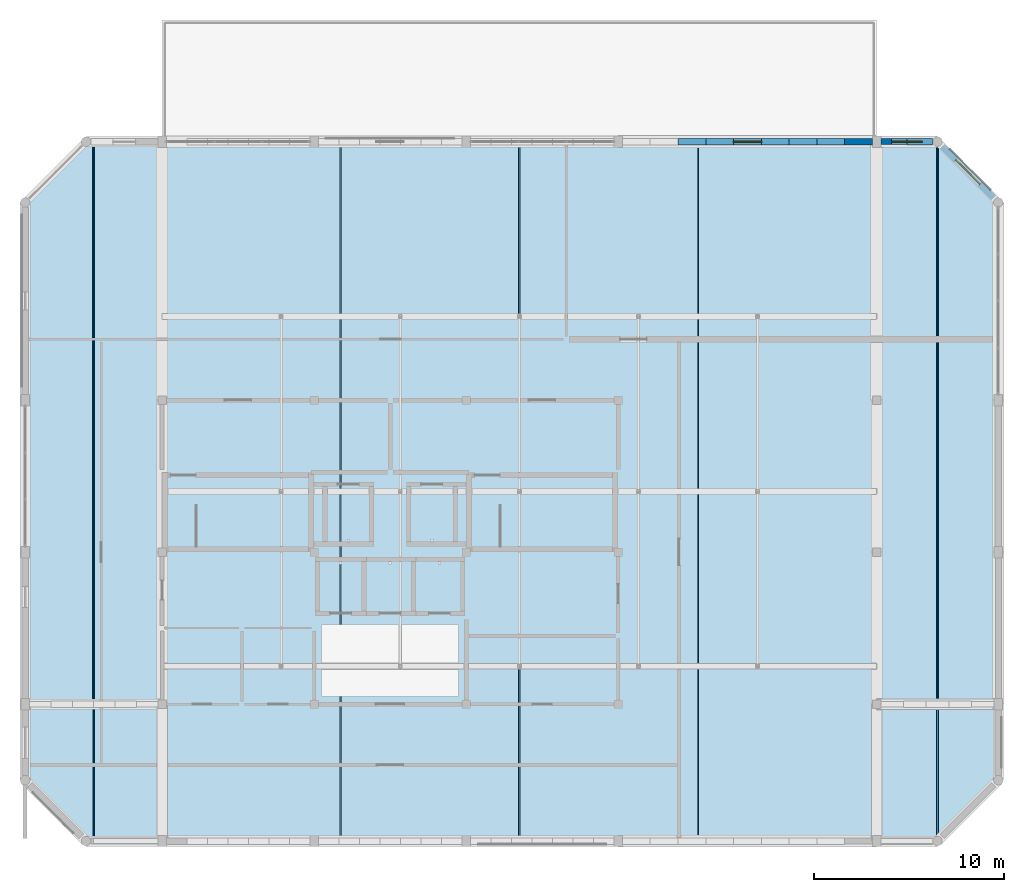
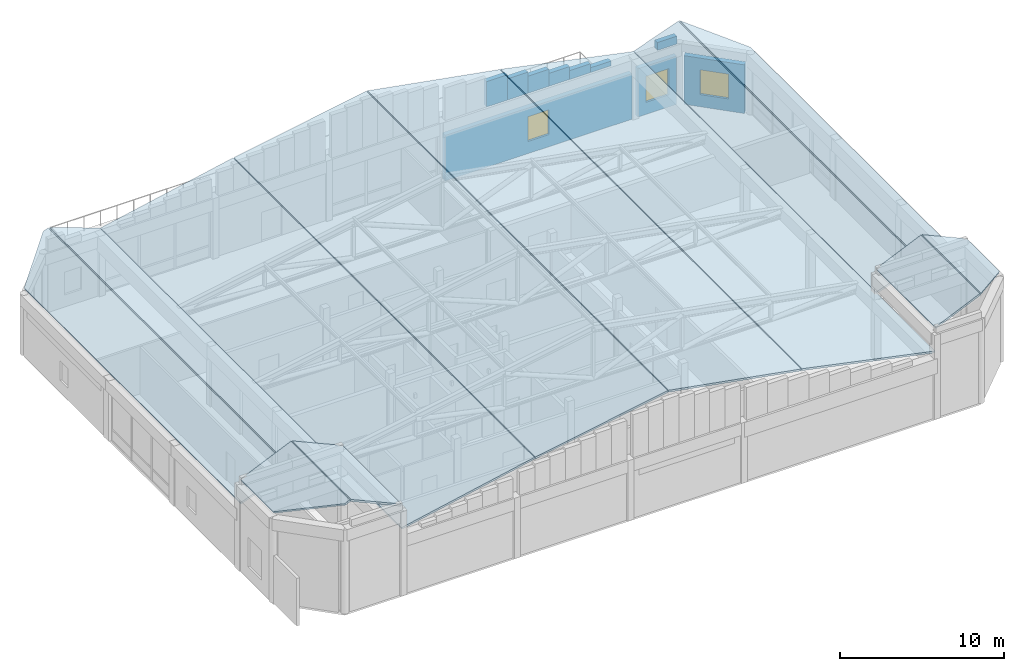
# One storey, part 22 of 24: 12 roofs, 10 walls, 3 windows, 3 openings.
"""IFC4 building model written with IfcOpenShell, lengths in metres."""

from ifc_helpers import new_model, si_unit, direction, frame, frame_2d, origin, place, context, subcontext, project, spatial, polyline, rectangle, outline, extrude, material, layer, layer_set, type_object, element, fill, save


model = new_model("IFC4")

# Units and contexts
model_context = context("Model", 3, precision=1e-05, world=origin(), true_north=direction((0.0, 1.0)))
body_context = subcontext(model_context, "Body", "Model", "MODEL_VIEW")
ifc_project = project(units=[si_unit("LENGTHUNIT", "METRE"), si_unit("AREAUNIT", "SQUARE_METRE"), si_unit("VOLUMEUNIT", "CUBIC_METRE"), si_unit("PLANEANGLEUNIT", "RADIAN"), si_unit("MASSUNIT", "GRAM", prefix="KILO")], contexts=[model_context])

# Site, building, storey
site_placement = place(None, origin())
site = spatial("IfcSite", under=ifc_project, at=site_placement, CompositionType="ELEMENT")
building_placement = place(site_placement, origin())
building = spatial("IfcBuilding", under=site, at=building_placement, Name="Vellmiral Cinema and Media Centre", CompositionType="ELEMENT")
storey_placement = place(building_placement, frame((0.0, 0.0, 66.60009765625)))
storey = spatial("IfcBuildingStorey", under=building, at=storey_placement, Name="L16", CompositionType="ELEMENT", Elevation=66.60009765625)

# Wall, opening, window
ifc_material_1 = material(Name="Polychrome Glazed Ceramic Cladding", Category="masonry")
ifc_layer_1 = layer(ifc_material_1, 0.320068359375, Name="Polychrome Glazed Ceramic Cladding")
ifc_layer_set_1 = layer_set([ifc_layer_1], Name="Polychrome Glazed Ceramic Cladding")
wall_type_1 = type_object("IfcWallType", Name="WL-EXT-BRICK-320", PredefinedType="SOLIDWALL", material=ifc_layer_set_1)
wall_1_placement = place(storey_placement, frame((164.550048828125, 108.800048828125, 0.0), z_axis=(0.0, 0.0, 1.0), x_axis=(-1.0, 0.0, 0.0)))
wall_1 = element("IfcWall", 1, at=wall_1_placement, inside=storey, type_object=wall_type_1, Name="Exterior Facade Wall L16-013", PredefinedType="SOLIDWALL", context=body_context, shape_type="SweptSolid", body=[
    extrude(rectangle(XDim=2.72509765625, YDim=0.320068359375, at=frame_2d((1.362548828125, 0.0))), origin(), (0.0, 0.0, 1.0), 3.599853515625),
])
opening_1_placement = place(wall_1_placement, frame((0.5625, 0.0, 0.89990234375)))
opening_1 = element("IfcOpeningElement", 2, at=opening_1_placement, cuts=wall_1, Name="Opening WN-05", PredefinedType="OPENING", context=body_context, shape_type="SweptSolid", body=[
    extrude(rectangle(XDim=1.60009765625, YDim=1.949951171875, at=frame_2d((0.800048828125, 0.97509765625))), frame((0.0, 0.171875, 0.0), z_axis=(0.0, -1.0, 0.0), x_axis=(1.0, 0.0, 0.0)), (0.0, 0.0, 1.0), 0.343994140625),
])
ifc_material_2 = material(Name="Thermally Broken Aluminium Triple Glazing", Category="aluminium")
window_type_1 = type_object("IfcWindowType", Name="WN-1600x1950", PartitioningType="DOUBLE_PANEL_VERTICAL", PredefinedType="WINDOW", material=ifc_material_2)
window_1_placement = place(opening_1_placement, origin())
window_1 = element("IfcWindow", 3, at=window_1_placement, inside=storey, type_object=window_type_1, Name="Window L16-013", OverallHeight=1.949951171875, OverallWidth=1.60009765625, PartitioningType="DOUBLE_PANEL_VERTICAL", PredefinedType="WINDOW", context=body_context, shape_type="SweptSolid", body=[
    extrude(rectangle(XDim=1.60009765625, YDim=1.949951171875, at=frame_2d((0.800048828125, 0.97509765625))), frame((0.0, 0.030029296875, 0.0), z_axis=(0.0, -1.0, 0.0), x_axis=(1.0, 0.0, 0.0)), (0.0, 0.0, 1.0), 0.06005859375),
])
fill(opening_1, window_1)

ifc_material_3 = material(Name="Vosges Red Sandstone Masonry", Category="masonry")
ifc_layer_2 = layer(ifc_material_3, 0.340087890625, Name="Vosges Red Sandstone Masonry")
ifc_layer_set_2 = layer_set([ifc_layer_2], Name="Vosges Red Sandstone Masonry")
wall_type_2 = type_object("IfcWallType", Name="WL-EXT-SAND-340", PredefinedType="SOLIDWALL", material=ifc_layer_set_2)
wall_2_placement = place(storey_placement, frame((167.75, 105.85009765625, 0.0), z_axis=(0.0, 0.0, 1.0), x_axis=(-0.707106781187, 0.707106781187, 0.0)))
wall_2 = element("IfcWall", 4, at=wall_2_placement, inside=storey, type_object=wall_type_2, Name="Exterior Facade Wall L16-012", PredefinedType="SOLIDWALL", context=body_context, shape_type="SweptSolid", body=[
    extrude(rectangle(XDim=3.818359375, YDim=0.340087890625, at=frame_2d((1.9091796875, 0.0))), origin(), (0.0, 0.0, 1.0), 3.619873046875),
])
opening_2_placement = place(wall_2_placement, frame((1.00927734375, 0.0, 0.89990234375)))
opening_2 = element("IfcOpeningElement", 5, at=opening_2_placement, cuts=wall_2, Name="Opening WN-04", PredefinedType="OPENING", context=body_context, shape_type="SweptSolid", body=[
    extrude(rectangle(XDim=1.800048828125, YDim=1.85009765625, at=frame_2d((0.89990234375, 0.925048828125))), frame((0.0, 0.18212890625, 0.0), z_axis=(0.0, -1.0, 0.0), x_axis=(1.0, 0.0, 0.0)), (0.0, 0.0, 1.0), 0.364013671875),
])
ifc_material_4 = material(Name="Thermally Broken Aluminium Triple Glazing", Category="aluminium")
window_type_2 = type_object("IfcWindowType", Name="WN-1800x1850", PartitioningType="DOUBLE_PANEL_VERTICAL", PredefinedType="WINDOW", material=ifc_material_4)
window_2_placement = place(opening_2_placement, origin())
window_2 = element("IfcWindow", 6, at=window_2_placement, inside=storey, type_object=window_type_2, Name="Window L16-012", OverallHeight=1.85009765625, OverallWidth=1.800048828125, PartitioningType="DOUBLE_PANEL_VERTICAL", PredefinedType="WINDOW", context=body_context, shape_type="SweptSolid", body=[
    extrude(rectangle(XDim=1.800048828125, YDim=1.85009765625, at=frame_2d((0.89990234375, 0.925048828125))), frame((0.0, 0.030029296875, 0.0), z_axis=(0.0, -1.0, 0.0), x_axis=(1.0, 0.0, 0.0)), (0.0, 0.0, 1.0), 0.06005859375),
])
fill(opening_2, window_2)

wall_3_placement = place(storey_placement, frame((161.375, 108.800048828125, 0.0), z_axis=(0.0, 0.0, 1.0), x_axis=(-1.0, 0.0, 0.0)))
wall_3 = element("IfcWall", 7, at=wall_3_placement, inside=storey, type_object=wall_type_2, Name="Exterior Facade Wall L16-014", PredefinedType="SOLIDWALL", context=body_context, shape_type="SweptSolid", body=[
    extrude(rectangle(XDim=13.14990234375, YDim=0.340087890625, at=frame_2d((6.574951171875, 0.0))), origin(), (0.0, 0.0, 1.0), 3.39990234375),
])
opening_3_placement = place(wall_3_placement, frame((5.824951171875, 0.0, 0.89990234375)))
opening_3 = element("IfcOpeningElement", 8, at=opening_3_placement, cuts=wall_3, Name="Opening WN-06", PredefinedType="OPENING", context=body_context, shape_type="SweptSolid", body=[
    extrude(rectangle(XDim=1.5, YDim=1.85009765625, at=frame_2d((0.75, 0.925048828125))), frame((0.0, 0.18212890625, 0.0), z_axis=(0.0, -1.0, 0.0), x_axis=(1.0, 0.0, 0.0)), (0.0, 0.0, 1.0), 0.364013671875),
])
ifc_material_5 = material(Name="Thermally Broken Aluminium Triple Glazing", Category="aluminium")
window_type_3 = type_object("IfcWindowType", Name="WN-1500x1850", PartitioningType="SINGLE_PANEL", PredefinedType="WINDOW", material=ifc_material_5)
window_3_placement = place(opening_3_placement, origin())
window_3 = element("IfcWindow", 9, at=window_3_placement, inside=storey, type_object=window_type_3, Name="Window L16-014", OverallHeight=1.85009765625, OverallWidth=1.5, PartitioningType="SINGLE_PANEL", PredefinedType="WINDOW", context=body_context, shape_type="SweptSolid", body=[
    extrude(rectangle(XDim=1.5, YDim=1.85009765625, at=frame_2d((0.75, 0.925048828125))), frame((0.0, 0.030029296875, 0.0), z_axis=(0.0, -1.0, 0.0), x_axis=(1.0, 0.0, 0.0)), (0.0, 0.0, 1.0), 0.06005859375),
])
fill(opening_3, window_3)

# Walls
wall_4_placement = place(storey_placement, frame((151.147216796875, 108.800048828125, 4.5), z_axis=(0.0, 0.0, 1.0), x_axis=(1.0, 0.0, 0.0)))
element("IfcWall", 10, at=wall_4_placement, inside=storey, type_object=wall_type_2, Name="Tower Crown Catalan Barrel Vault Gable End Wall N-23", PredefinedType="SOLIDWALL", context=body_context, shape_type="SweptSolid", body=[
    extrude(rectangle(XDim=1.461181640625, YDim=0.340087890625, at=frame_2d((0.73046875, 0.0))), origin(), (0.0, 0.0, 1.0), 1.87841796875),
])
wall_5_placement = place(storey_placement, frame((152.6083984375, 108.800048828125, 4.5), z_axis=(0.0, 0.0, 1.0), x_axis=(1.0, 0.0, 0.0)))
element("IfcWall", 11, at=wall_5_placement, inside=storey, type_object=wall_type_2, Name="Tower Crown Catalan Barrel Vault Gable End Wall N-24", PredefinedType="SOLIDWALL", context=body_context, shape_type="SweptSolid", body=[
    extrude(rectangle(XDim=1.4609375, YDim=0.340087890625, at=frame_2d((0.73046875, 0.0))), origin(), (0.0, 0.0, 1.0), 1.572998046875),
])
wall_6_placement = place(storey_placement, frame((154.0693359375, 108.800048828125, 4.5), z_axis=(0.0, 0.0, 1.0), x_axis=(1.0, 0.0, 0.0)))
element("IfcWall", 12, at=wall_6_placement, inside=storey, type_object=wall_type_2, Name="Tower Crown Catalan Barrel Vault Gable End Wall N-25", PredefinedType="SOLIDWALL", context=body_context, shape_type="SweptSolid", body=[
    extrude(rectangle(XDim=1.461181640625, YDim=0.340087890625, at=frame_2d((0.73046875, 0.0))), origin(), (0.0, 0.0, 1.0), 1.267822265625),
])
wall_7_placement = place(storey_placement, frame((155.530517578125, 108.800048828125, 4.5), z_axis=(0.0, 0.0, 1.0), x_axis=(1.0, 0.0, 0.0)))
element("IfcWall", 13, at=wall_7_placement, inside=storey, type_object=wall_type_2, Name="Tower Crown Catalan Barrel Vault Gable End Wall N-26", PredefinedType="SOLIDWALL", context=body_context, shape_type="SweptSolid", body=[
    extrude(rectangle(XDim=1.461181640625, YDim=0.340087890625, at=frame_2d((0.73046875, 0.0))), origin(), (0.0, 0.0, 1.0), 0.962646484375),
])
wall_8_placement = place(storey_placement, frame((156.99169921875, 108.800048828125, 4.5), z_axis=(0.0, 0.0, 1.0), x_axis=(1.0, 0.0, 0.0)))
element("IfcWall", 14, at=wall_8_placement, inside=storey, type_object=wall_type_2, Name="Tower Crown Catalan Barrel Vault Gable End Wall N-27", PredefinedType="SOLIDWALL", context=body_context, shape_type="SweptSolid", body=[
    extrude(rectangle(XDim=1.461181640625, YDim=0.340087890625, at=frame_2d((0.73046875, 0.0))), origin(), (0.0, 0.0, 1.0), 0.657470703125),
])
wall_9_placement = place(storey_placement, frame((158.452880859375, 108.800048828125, 4.5), z_axis=(0.0, 0.0, 1.0), x_axis=(1.0, 0.0, 0.0)))
element("IfcWall", 15, at=wall_9_placement, inside=storey, type_object=wall_type_2, Name="Tower Crown Catalan Barrel Vault Gable End Wall N-28", PredefinedType="SOLIDWALL", context=body_context, shape_type="SweptSolid", body=[
    extrude(rectangle(XDim=1.4609375, YDim=0.340087890625, at=frame_2d((0.73046875, 0.0))), origin(), (0.0, 0.0, 1.0), 0.35205078125),
])
wall_10_placement = place(storey_placement, frame((163.1875, 108.800048828125, 4.5), z_axis=(0.0, 0.0, 1.0), x_axis=(1.0, 0.0, 0.0)))
element("IfcWall", 16, at=wall_10_placement, inside=storey, type_object=wall_type_2, Name="Tower Crown East Gallery Vault Gable End Wall N-1", PredefinedType="SOLIDWALL", context=body_context, shape_type="SweptSolid", body=[
    extrude(rectangle(XDim=1.362548828125, YDim=0.340087890625, at=frame_2d((0.68115234375, 0.0))), origin(), (0.0, 0.0, 1.0), 0.57763671875),
])

# Roofs
ifc_material_6 = material(Name="Catalan Glazed Ceramic Vault Tile")
ifc_layer_3 = layer(ifc_material_6, 0.139892578125, Name="Catalan Glazed Ceramic Vault Tile")
ifc_layer_set_3 = layer_set([ifc_layer_3], Name="Catalan Glazed Ceramic Vault Tile")
roof_type_1 = type_object("IfcRoofType", Name="ROOF-BARREL-VAULT", PredefinedType="BARREL_ROOF", material=ifc_layer_set_3)
roof_1_placement = place(storey_placement, frame((124.0, 72.0, 4.86767578125), z_axis=(-0.204493129752, 0.0, 0.978867999214), x_axis=(0.978867999214, 0.0, 0.204493129752)))
element("IfcRoof", 17, at=roof_1_placement, inside=storey, type_object=roof_type_1, Name="Tower Crown Catalan Barrel Vault Catalan Ceramic Vault A1", PredefinedType="BARREL_ROOF", context=body_context, shape_type="SweptSolid", body=[
    extrude(outline(polyline([(0.0, 0.0), (9.570156476052993, 0.0), (9.570156476052993, 36.80004882812501), (0.0, 36.80004882812501), (0.0, 0.0)])), origin(), (0.0, 0.0, -1.0), 0.139892578125),
])
for number, where, z_axis, x_axis, name in (
    (18, (133.431884765625, 72.0, 6.829345703125), (-0.177095137206, 0.0, 0.984193737217), (0.984193737217, 0.0, 0.177095137206), "Tower Crown Catalan Barrel Vault Catalan Ceramic Vault A2"),
    (19, (142.8359375, 72.0, 8.508544921875), (0.177095137206, 0.0, 0.984193737217), (0.984193737217, 0.0, -0.177095137206), "Tower Crown Catalan Barrel Vault Catalan Ceramic Vault B2"),
):
    element("IfcRoof", number, at=place(storey_placement, frame(where, z_axis=z_axis, x_axis=x_axis)), inside=storey, type_object=roof_type_1, Name=name, PredefinedType="BARREL_ROOF", context=body_context, shape_type="SweptSolid", body=[
        extrude(outline(polyline([(0.0, 0.0), (9.481904727807972, 0.0), (9.481904727807972, 36.800048828125), (0.0, 36.800048828125), (0.0, 0.0)])), origin(), (0.0, 0.0, -1.0), 0.139892578125),
    ])
roof_2_placement = place(storey_placement, frame((152.23193359375, 72.0, 6.82470703125), z_axis=(0.20448802337, 0.0, 0.978869065962), x_axis=(0.978869065962, 0.0, -0.20448802337)))
element("IfcRoof", 20, at=roof_2_placement, inside=storey, type_object=roof_type_1, Name="Tower Crown Catalan Barrel Vault Catalan Ceramic Vault B1", PredefinedType="BARREL_ROOF", context=body_context, shape_type="SweptSolid", body=[
    extrude(outline(polyline([(0.0, 0.0), (9.570395457628337, 0.0), (9.570395457628337, 36.800048828125), (0.0, 36.800048828125), (0.0, 0.0)])), origin(), (0.0, 0.0, -1.0), 0.139892578125),
])
roof_3_placement = place(storey_placement, frame((116.800048828125, 79.199951171875, 4.883056640625), z_axis=(-0.341992686086, 4.81137e-07, 0.93970261395), x_axis=(0.93970261395, 0.0, 0.341992686086)))
element("IfcRoof", 21, at=roof_3_placement, inside=storey, type_object=roof_type_1, Name="Tower Crown West Gallery Vault Catalan Ceramic Vault A", PredefinedType="BARREL_ROOF", context=body_context, shape_type="SweptSolid", body=[
    extrude(outline(polyline([(0.0, 0.0), (3.774984449392148, 0.0), (3.774984449397956, 29.60009765624657), (3.40527033049102, 29.600097656259607), (5.180500873769531e-12, 26.400146484371945), (0.0, 0.0)])), origin(), (0.0, 0.0, -1.0), 0.139892578125),
])
roof_4_placement = place(storey_placement, frame((120.45263671875, 79.199951171875, 6.174072265625), z_axis=(0.341992302831, 0.0, 0.93970275343), x_axis=(0.93970275343, 0.0, -0.341992302831)))
element("IfcRoof", 22, at=roof_4_placement, inside=storey, type_object=roof_type_1, Name="Tower Crown West Gallery Vault Catalan Ceramic Vault B", PredefinedType="BARREL_ROOF", context=body_context, shape_type="SweptSolid", body=[
    extrude(outline(polyline([(0.0, 0.0), (3.774984449392462, 0.0), (3.774984449392462, 29.60009765625), (0.0, 29.60009765625), (0.0, 0.0)])), origin(), (0.0, 0.0, -1.0), 0.139892578125),
])
roof_5_placement = place(storey_placement, frame((161.60009765625, 79.199951171875, 4.883056640625), z_axis=(-0.342023986742, 0.0, 0.939691221888), x_axis=(0.939691221888, 0.0, 0.342023986742)))
element("IfcRoof", 23, at=roof_5_placement, inside=storey, type_object=roof_type_1, Name="Tower Crown East Gallery Vault Catalan Ceramic Vault A", PredefinedType="BARREL_ROOF", context=body_context, shape_type="SweptSolid", body=[
    extrude(outline(polyline([(0.0, 0.0), (3.349203146276838, 0.0), (3.349203146276838, 29.60009765625), (0.0, 29.60009765625), (0.0, 0.0)])), origin(), (0.0, 0.0, -1.0), 0.139892578125),
])
roof_6_placement = place(storey_placement, frame((164.8525390625, 79.199951171875, 6.028564453125), z_axis=(0.342000559967, 0.0, 0.939699748315), x_axis=(0.939699748315, 0.0, -0.342000559967)))
element("IfcRoof", 24, at=roof_6_placement, inside=storey, type_object=roof_type_1, Name="Tower Crown East Gallery Vault Catalan Ceramic Vault B", PredefinedType="BARREL_ROOF", context=body_context, shape_type="SweptSolid", body=[
    extrude(outline(polyline([(0.0, 0.0), (3.3494325641199163, 0.0), (3.3494325641199163, 26.400146484375), (0.0, 29.60009765625), (0.0, 0.0)])), origin(), (0.0, 0.0, -1.0), 0.139892578125),
])
ifc_material_7 = material(Name="Catalan Glazed Ceramic Vault Tile")
ifc_layer_4 = layer(ifc_material_7, 0.139892578125, Name="Catalan Glazed Ceramic Vault Tile")
ifc_layer_set_4 = layer_set([ifc_layer_4], Name="Catalan Glazed Ceramic Vault Tile")
roof_type_2 = type_object("IfcRoofType", Name="ROOF-PAVILION-CROWN", PredefinedType="PAVILION_ROOF", material=ifc_layer_set_4)
roof_7_placement = place(storey_placement, frame((120.0, 72.0, 8.0546875), z_axis=(-0.406724772431, -6.324111e-06, 0.91355074268), x_axis=(0.913550742698, 1.143e-09, 0.406724772439)))
element("IfcRoof", 25, at=roof_7_placement, inside=storey, type_object=roof_type_2, Name="Torratxa Turret Ceramic Pavilion Roof SW-A", PredefinedType="PAVILION_ROOF", context=body_context, shape_type="SweptSolid", body=[
    extrude(outline(polyline([(0.0, 0.0), (0.3918107092769133, 2.117582368135751e-22), (0.3918107175082114, 7.199951171731022), (-3.5027218256864145, 7.199951176311401), (-3.5027218302593885, 3.19995117639139), (0.0, 0.0)])), origin(), (0.0, 0.0, -1.0), 0.139892578125),
])
roof_8_placement = place(storey_placement, frame((120.44189453125, 72.0, 8.214111328125), z_axis=(0.40669673424, 0.0, 0.913563225157), x_axis=(0.913563225157, 0.0, -0.40669673424)))
element("IfcRoof", 26, at=roof_8_placement, inside=storey, type_object=roof_type_2, Name="Torratxa Turret Ceramic Pavilion Roof SW-B", PredefinedType="PAVILION_ROOF", context=body_context, shape_type="SweptSolid", body=[
    extrude(outline(polyline([(0.0, 0.0), (3.8947555798782547, 0.0), (3.8947555798782547, 7.199951171875), (0.0, 7.199951171875), (0.0, 0.0)])), origin(), (0.0, 0.0, -1.0), 0.139892578125),
])
roof_9_placement = place(storey_placement, frame((161.60009765625, 72.0, 6.630126953125), z_axis=(-0.40673469537, 0.0, 0.913546324815), x_axis=(0.913546324815, 0.0, 0.40673469537)))
element("IfcRoof", 27, at=roof_9_placement, inside=storey, type_object=roof_type_2, Name="Torratxa Turret Ceramic Pavilion Roof SE-A", PredefinedType="PAVILION_ROOF", context=body_context, shape_type="SweptSolid", body=[
    extrude(outline(polyline([(0.0, 0.0), (3.4568131889923723, 0.0), (3.4568131889923723, 7.199951171875002), (0.0, 7.199951171875002), (0.0, 0.0)])), origin(), (0.0, 0.0, -1.0), 0.139892578125),
])
roof_10_placement = place(storey_placement, frame((164.842041015625, 72.0, 8.0361328125), z_axis=(0.40673469537, 0.0, 0.913546324815), x_axis=(0.67040187938, 0.679316384464, -0.298480434739)))
element("IfcRoof", 28, at=roof_10_placement, inside=storey, type_object=roof_type_2, Name="Torratxa Turret Ceramic Pavilion Roof SE-B", PredefinedType="PAVILION_ROOF", context=body_context, shape_type="SweptSolid", body=[
    extrude(outline(polyline([(0.0, 0.0), (4.710546138822526, 3.885780586188048e-16), (7.4278116766778695, 2.935382087017585), (4.891044798394283, 5.283651924330786), (0.0, 0.0)])), origin(), (0.0, 0.0, -1.0), 0.139892578125),
])

save(model, "model.ifc")
